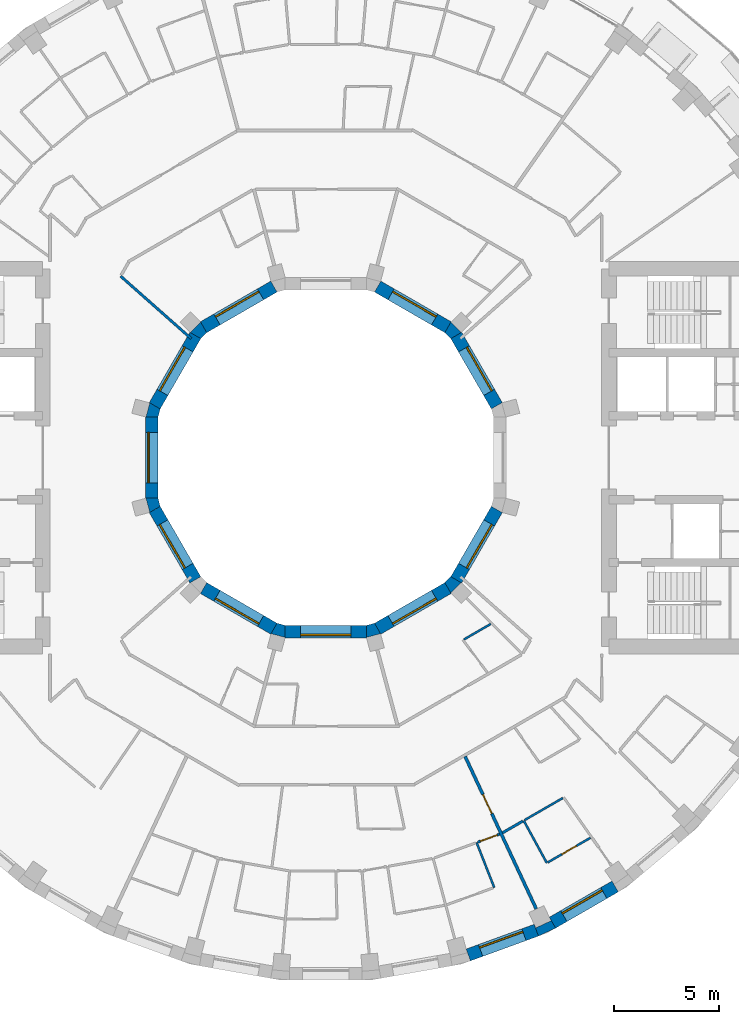
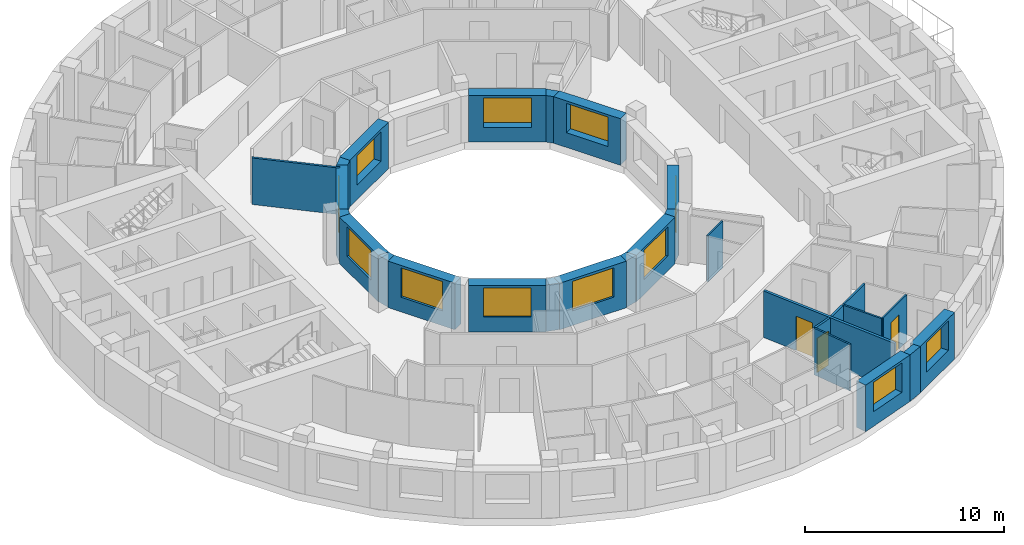
# One storey, part 7 of 15: 29 walls, 12 windows, 3 doors, 15 openings.
"""IFC4 building model written with IfcOpenShell, lengths in metres."""

from ifc_helpers import new_model, si_unit, direction, frame, frame_2d, origin, place, context, subcontext, project, spatial, polyline, rectangle, outline, extrude, material, layer, layer_set, type_object, element, fill, save


model = new_model("IFC4")

# Units and contexts
model_context = context("Model", 3, precision=1e-05, world=origin(), true_north=direction((0.0, 1.0)))
body_context = subcontext(model_context, "Body", "Model", "MODEL_VIEW")
ifc_project = project(units=[si_unit("LENGTHUNIT", "METRE"), si_unit("AREAUNIT", "SQUARE_METRE"), si_unit("VOLUMEUNIT", "CUBIC_METRE"), si_unit("PLANEANGLEUNIT", "RADIAN"), si_unit("MASSUNIT", "GRAM", prefix="KILO")], contexts=[model_context])

# Site, building, storey
site_placement = place(None, origin())
site = spatial("IfcSite", under=ifc_project, at=site_placement, CompositionType="ELEMENT")
building_placement = place(site_placement, origin())
building = spatial("IfcBuilding", under=site, at=building_placement, Name="Saqina Gate Tower", CompositionType="ELEMENT")
storey_placement = place(building_placement, frame((0.0, 0.0, 197.10009765625)))
storey = spatial("IfcBuildingStorey", under=building, at=storey_placement, Name="L56", CompositionType="ELEMENT", Elevation=197.10009765625)

# Wall
ifc_material_1 = material(Name="Brick masonry (buff)", Category="masonry")
wall_type_1 = type_object("IfcWallType", Name="BRICK PIER COPING BUFF", PredefinedType="SOLIDWALL", material=ifc_material_1)
wall_1_placement = place(storey_placement, origin())
element("IfcWall", 1, at=wall_1_placement, inside=storey, type_object=wall_type_1, Name="Pier cap L56 column 30", PredefinedType="SOLIDWALL", context=body_context, shape_type="SweptSolid", body=[
    extrude(outline(polyline([(10.958740234375, -22.4306640625), (10.65869140625, -21.9111328125), (10.73779296875, -22.080810546875), (10.0126953125, -22.4189453125), (9.93359375, -22.249267578125), (10.138916015625, -22.81298828125), (10.958740234375, -22.4306640625)])), origin(), (0.0, 0.0, 1.0), 2.849853515625),
])

# Wall, opening, window
ifc_material_2 = material(Name="Brick masonry (buff)", Category="masonry")
ifc_layer_1 = layer(ifc_material_2, 0.60009765625)
ifc_layer_set_1 = layer_set([ifc_layer_1], Name="FW-BRICK-BUFF")
wall_type_2 = type_object("IfcWallType", Name="FW-BRICK-BUFF", PredefinedType="SOLIDWALL", material=ifc_layer_set_1)
wall_2_placement = place(storey_placement, frame((6.79443359375, -23.7109375, 0.0), z_axis=(0.0, 0.0, 1.0), x_axis=(0.93968799822, 0.342032843455, 0.0)))
wall_2 = element("IfcWall", 2, at=wall_2_placement, inside=storey, type_object=wall_type_2, Name="Facade wall L56 facet 29", PredefinedType="SOLIDWALL", context=body_context, shape_type="SweptSolid", body=[
    extrude(rectangle(XDim=3.44970703125, YDim=0.60009765625, at=frame_2d((1.724853515625, 0.0))), origin(), (0.0, 0.0, 1.0), 2.849853515625),
])
opening_1_placement = place(wall_2_placement, frame((0.625, 0.0, 0.89990234375)))
opening_1 = element("IfcOpeningElement", 3, at=opening_1_placement, cuts=wall_2, Name="Opening G16-W18", PredefinedType="OPENING", context=body_context, shape_type="SweptSolid", body=[
    extrude(rectangle(XDim=2.199951171875, YDim=1.800048828125, at=frame_2d((1.10009765625, 0.89990234375))), frame((0.0, 0.31201171875, 0.0), z_axis=(0.0, -1.0, 0.0), x_axis=(1.0, 0.0, 0.0)), (0.0, 0.0, 1.0), 0.6240234375),
])
ifc_material_3 = material(Name="Aluminium glazing", Category="aluminium")
window_type_1 = type_object("IfcWindowType", Name="WN-C", PartitioningType="SINGLE_PANEL", PredefinedType="WINDOW", material=ifc_material_3)
window_1_placement = place(opening_1_placement, origin())
window_1 = element("IfcWindow", 4, at=window_1_placement, inside=storey, type_object=window_type_1, Name="Window L56 facet 29", OverallHeight=1.800048828125, OverallWidth=2.199951171875, PartitioningType="SINGLE_PANEL", PredefinedType="WINDOW", context=body_context, shape_type="SweptSolid", body=[
    extrude(rectangle(XDim=2.199951171875, YDim=1.800048828125, at=frame_2d((1.10009765625, 0.89990234375))), frame((0.0, 0.179931640625, 0.0), z_axis=(0.0, -1.0, 0.0), x_axis=(1.0, 0.0, 0.0)), (0.0, 0.0, 1.0), 0.06005859375),
])
fill(opening_1, window_1)

wall_3_placement = place(storey_placement, frame((10.80859375, -22.1708984375, 0.0), z_axis=(0.0, 0.0, 1.0), x_axis=(0.86602648383, 0.499998129301, 0.0)))
wall_3 = element("IfcWall", 5, at=wall_3_placement, inside=storey, type_object=wall_type_2, Name="Facade wall L56 facet 30", PredefinedType="SOLIDWALL", context=body_context, shape_type="SweptSolid", body=[
    extrude(rectangle(XDim=3.44970703125, YDim=0.60009765625, at=frame_2d((1.724853515625, 0.0))), origin(), (0.0, 0.0, 1.0), 2.849853515625),
])
opening_2_placement = place(wall_3_placement, frame((0.625, 0.0, 0.89990234375)))
opening_2 = element("IfcOpeningElement", 6, at=opening_2_placement, cuts=wall_3, Name="Opening G16-W19", PredefinedType="OPENING", context=body_context, shape_type="SweptSolid", body=[
    extrude(rectangle(XDim=2.199951171875, YDim=1.800048828125, at=frame_2d((1.10009765625, 0.89990234375))), frame((0.0, 0.31201171875, 0.0), z_axis=(0.0, -1.0, 0.0), x_axis=(1.0, 0.0, 0.0)), (0.0, 0.0, 1.0), 0.6240234375),
])
window_2_placement = place(opening_2_placement, origin())
window_2 = element("IfcWindow", 7, at=window_2_placement, inside=storey, type_object=window_type_1, Name="Window L56 facet 30", OverallHeight=1.800048828125, OverallWidth=2.199951171875, PartitioningType="SINGLE_PANEL", PredefinedType="WINDOW", context=body_context, shape_type="SweptSolid", body=[
    extrude(rectangle(XDim=2.199951171875, YDim=1.800048828125, at=frame_2d((1.10009765625, 0.89990234375))), frame((0.0, 0.179931640625, 0.0), z_axis=(0.0, -1.0, 0.0), x_axis=(1.0, 0.0, 0.0)), (0.0, 0.0, 1.0), 0.06005859375),
])
fill(opening_2, window_2)

ifc_material_4 = material(Name="Glazed ceramic tile", Category="ceramic")
ifc_layer_2 = layer(ifc_material_4, 0.60009765625)
ifc_layer_set_2 = layer_set([ifc_layer_2], Name="IW-TILE")
wall_type_3 = type_object("IfcWallType", Name="IW-TILE", PredefinedType="SOLIDWALL", material=ifc_layer_set_2)
wall_4_placement = place(storey_placement, frame((8.155517578125, 2.474365234375, 0.0), z_axis=(0.0, 0.0, 1.0), x_axis=(-0.500033728941, 0.866005929495, 0.0)))
wall_4 = element("IfcWall", 8, at=wall_4_placement, inside=storey, type_object=wall_type_3, Name="Well wall L56 facet 1", PredefinedType="SOLIDWALL", context=body_context, shape_type="SweptSolid", body=[
    extrude(rectangle(XDim=3.869873046875, YDim=0.60009765625, at=frame_2d((1.93505859375, 0.0))), origin(), (0.0, 0.0, 1.0), 2.849853515625),
])
opening_3_placement = place(wall_4_placement, frame((0.73486328125, 0.0, 0.89990234375)))
opening_3 = element("IfcOpeningElement", 9, at=opening_3_placement, cuts=wall_4, Name="Opening G16-W23", PredefinedType="OPENING", context=body_context, shape_type="SweptSolid", body=[
    extrude(rectangle(XDim=2.39990234375, YDim=1.800048828125, at=frame_2d((1.199951171875, 0.89990234375))), frame((0.0, 0.31201171875, 0.0), z_axis=(0.0, -1.0, 0.0), x_axis=(1.0, 0.0, 0.0)), (0.0, 0.0, 1.0), 0.6240234375),
])
ifc_material_5 = material(Name="Aluminium glazing", Category="aluminium")
window_type_2 = type_object("IfcWindowType", Name="WN-W", PartitioningType="SINGLE_PANEL", PredefinedType="WINDOW", material=ifc_material_5)
window_3_placement = place(opening_3_placement, origin())
window_3 = element("IfcWindow", 10, at=window_3_placement, inside=storey, type_object=window_type_2, Name="Well window L56 facet 1", OverallHeight=1.800048828125, OverallWidth=2.39990234375, PartitioningType="SINGLE_PANEL", PredefinedType="WINDOW", context=body_context, shape_type="SweptSolid", body=[
    extrude(rectangle(XDim=2.39990234375, YDim=1.800048828125, at=frame_2d((1.199951171875, 0.89990234375))), frame((0.0, -0.119873046875, 0.0), z_axis=(0.0, -1.0, 0.0), x_axis=(1.0, 0.0, 0.0)), (0.0, 0.0, 1.0), 0.06005859375),
])
fill(opening_3, window_3)

wall_5_placement = place(storey_placement, frame((5.82568359375, 6.220458984375, 0.0), z_axis=(0.0, 0.0, 1.0), x_axis=(-0.866005929495, 0.500033728941, 0.0)))
wall_5 = element("IfcWall", 11, at=wall_5_placement, inside=storey, type_object=wall_type_3, Name="Well wall L56 facet 2", PredefinedType="SOLIDWALL", context=body_context, shape_type="SweptSolid", body=[
    extrude(rectangle(XDim=3.869873046875, YDim=0.60009765625, at=frame_2d((1.93505859375, 0.0))), origin(), (0.0, 0.0, 1.0), 2.849853515625),
])
opening_4_placement = place(wall_5_placement, frame((0.73486328125, 0.0, 0.89990234375)))
opening_4 = element("IfcOpeningElement", 12, at=opening_4_placement, cuts=wall_5, Name="Opening G16-W24", PredefinedType="OPENING", context=body_context, shape_type="SweptSolid", body=[
    extrude(rectangle(XDim=2.39990234375, YDim=1.800048828125, at=frame_2d((1.199951171875, 0.89990234375))), frame((0.0, 0.31201171875, 0.0), z_axis=(0.0, -1.0, 0.0), x_axis=(1.0, 0.0, 0.0)), (0.0, 0.0, 1.0), 0.6240234375),
])
window_4_placement = place(opening_4_placement, origin())
window_4 = element("IfcWindow", 13, at=window_4_placement, inside=storey, type_object=window_type_2, Name="Well window L56 facet 2", OverallHeight=1.800048828125, OverallWidth=2.39990234375, PartitioningType="SINGLE_PANEL", PredefinedType="WINDOW", context=body_context, shape_type="SweptSolid", body=[
    extrude(rectangle(XDim=2.39990234375, YDim=1.800048828125, at=frame_2d((1.199951171875, 0.89990234375))), frame((0.0, -0.119873046875, 0.0), z_axis=(0.0, -1.0, 0.0), x_axis=(1.0, 0.0, 0.0)), (0.0, 0.0, 1.0), 0.06005859375),
])
fill(opening_4, window_4)

wall_6_placement = place(storey_placement, frame((-2.474365234375, 8.155517578125, 0.0), z_axis=(0.0, 0.0, 1.0), x_axis=(-0.866005929495, -0.500033728941, 0.0)))
wall_6 = element("IfcWall", 14, at=wall_6_placement, inside=storey, type_object=wall_type_3, Name="Well wall L56 facet 4", PredefinedType="SOLIDWALL", context=body_context, shape_type="SweptSolid", body=[
    extrude(rectangle(XDim=3.869873046875, YDim=0.60009765625, at=frame_2d((1.93505859375, 0.0))), origin(), (0.0, 0.0, 1.0), 2.849853515625),
])
opening_5_placement = place(wall_6_placement, frame((0.73486328125, 0.0, 0.89990234375)))
opening_5 = element("IfcOpeningElement", 15, at=opening_5_placement, cuts=wall_6, Name="Opening G16-W26", PredefinedType="OPENING", context=body_context, shape_type="SweptSolid", body=[
    extrude(rectangle(XDim=2.39990234375, YDim=1.800048828125, at=frame_2d((1.199951171875, 0.89990234375))), frame((0.0, 0.31201171875, 0.0), z_axis=(0.0, -1.0, 0.0), x_axis=(1.0, 0.0, 0.0)), (0.0, 0.0, 1.0), 0.6240234375),
])
window_5_placement = place(opening_5_placement, origin())
window_5 = element("IfcWindow", 16, at=window_5_placement, inside=storey, type_object=window_type_2, Name="Well window L56 facet 4", OverallHeight=1.800048828125, OverallWidth=2.39990234375, PartitioningType="SINGLE_PANEL", PredefinedType="WINDOW", context=body_context, shape_type="SweptSolid", body=[
    extrude(rectangle(XDim=2.39990234375, YDim=1.800048828125, at=frame_2d((1.199951171875, 0.89990234375))), frame((0.0, -0.119873046875, 0.0), z_axis=(0.0, -1.0, 0.0), x_axis=(1.0, 0.0, 0.0)), (0.0, 0.0, 1.0), 0.06005859375),
])
fill(opening_5, window_5)

wall_7_placement = place(storey_placement, frame((-6.220458984375, 5.82568359375, 0.0), z_axis=(0.0, 0.0, 1.0), x_axis=(-0.500033728941, -0.866005929495, 0.0)))
wall_7 = element("IfcWall", 17, at=wall_7_placement, inside=storey, type_object=wall_type_3, Name="Well wall L56 facet 5", PredefinedType="SOLIDWALL", context=body_context, shape_type="SweptSolid", body=[
    extrude(rectangle(XDim=3.869873046875, YDim=0.60009765625, at=frame_2d((1.93505859375, 0.0))), origin(), (0.0, 0.0, 1.0), 2.849853515625),
])
opening_6_placement = place(wall_7_placement, frame((0.73486328125, 0.0, 0.89990234375)))
opening_6 = element("IfcOpeningElement", 18, at=opening_6_placement, cuts=wall_7, Name="Opening G16-W27", PredefinedType="OPENING", context=body_context, shape_type="SweptSolid", body=[
    extrude(rectangle(XDim=2.39990234375, YDim=1.800048828125, at=frame_2d((1.199951171875, 0.89990234375))), frame((0.0, 0.31201171875, 0.0), z_axis=(0.0, -1.0, 0.0), x_axis=(1.0, 0.0, 0.0)), (0.0, 0.0, 1.0), 0.6240234375),
])
window_6_placement = place(opening_6_placement, origin())
window_6 = element("IfcWindow", 19, at=window_6_placement, inside=storey, type_object=window_type_2, Name="Well window L56 facet 5", OverallHeight=1.800048828125, OverallWidth=2.39990234375, PartitioningType="SINGLE_PANEL", PredefinedType="WINDOW", context=body_context, shape_type="SweptSolid", body=[
    extrude(rectangle(XDim=2.39990234375, YDim=1.800048828125, at=frame_2d((1.199951171875, 0.89990234375))), frame((0.0, -0.119873046875, 0.0), z_axis=(0.0, -1.0, 0.0), x_axis=(1.0, 0.0, 0.0)), (0.0, 0.0, 1.0), 0.06005859375),
])
fill(opening_6, window_6)

wall_8_placement = place(storey_placement, frame((-8.300048828125, 1.934814453125, 0.0), z_axis=(0.0, 0.0, 1.0), x_axis=(0.0, -1.0, 0.0)))
wall_8 = element("IfcWall", 20, at=wall_8_placement, inside=storey, type_object=wall_type_3, Name="Well wall L56 facet 6", PredefinedType="SOLIDWALL", context=body_context, shape_type="SweptSolid", body=[
    extrude(rectangle(XDim=3.86962890625, YDim=0.60009765625, at=frame_2d((1.934814453125, 0.0))), origin(), (0.0, 0.0, 1.0), 2.849853515625),
])
opening_7_placement = place(wall_8_placement, frame((0.73486328125, 0.0, 0.89990234375)))
opening_7 = element("IfcOpeningElement", 21, at=opening_7_placement, cuts=wall_8, Name="Opening G16-W28", PredefinedType="OPENING", context=body_context, shape_type="SweptSolid", body=[
    extrude(rectangle(XDim=2.39990234375, YDim=1.800048828125, at=frame_2d((1.199951171875, 0.89990234375))), frame((0.0, 0.31201171875, 0.0), z_axis=(0.0, -1.0, 0.0), x_axis=(1.0, 0.0, 0.0)), (0.0, 0.0, 1.0), 0.6240234375),
])
window_7_placement = place(opening_7_placement, origin())
window_7 = element("IfcWindow", 22, at=window_7_placement, inside=storey, type_object=window_type_2, Name="Well window L56 facet 6", OverallHeight=1.800048828125, OverallWidth=2.39990234375, PartitioningType="SINGLE_PANEL", PredefinedType="WINDOW", context=body_context, shape_type="SweptSolid", body=[
    extrude(rectangle(XDim=2.39990234375, YDim=1.800048828125, at=frame_2d((1.199951171875, 0.89990234375))), frame((0.0, -0.119873046875, 0.0), z_axis=(0.0, -1.0, 0.0), x_axis=(1.0, 0.0, 0.0)), (0.0, 0.0, 1.0), 0.06005859375),
])
fill(opening_7, window_7)

wall_9_placement = place(storey_placement, frame((-8.155517578125, -2.474365234375, 0.0), z_axis=(0.0, 0.0, 1.0), x_axis=(0.500033728941, -0.866005929495, 0.0)))
wall_9 = element("IfcWall", 23, at=wall_9_placement, inside=storey, type_object=wall_type_3, Name="Well wall L56 facet 7", PredefinedType="SOLIDWALL", context=body_context, shape_type="SweptSolid", body=[
    extrude(rectangle(XDim=3.869873046875, YDim=0.60009765625, at=frame_2d((1.93505859375, 0.0))), origin(), (0.0, 0.0, 1.0), 2.849853515625),
])
opening_8_placement = place(wall_9_placement, frame((0.73486328125, 0.0, 0.89990234375)))
opening_8 = element("IfcOpeningElement", 24, at=opening_8_placement, cuts=wall_9, Name="Opening G16-W29", PredefinedType="OPENING", context=body_context, shape_type="SweptSolid", body=[
    extrude(rectangle(XDim=2.39990234375, YDim=1.800048828125, at=frame_2d((1.199951171875, 0.89990234375))), frame((0.0, 0.31201171875, 0.0), z_axis=(0.0, -1.0, 0.0), x_axis=(1.0, 0.0, 0.0)), (0.0, 0.0, 1.0), 0.6240234375),
])
window_8_placement = place(opening_8_placement, origin())
window_8 = element("IfcWindow", 25, at=window_8_placement, inside=storey, type_object=window_type_2, Name="Well window L56 facet 7", OverallHeight=1.800048828125, OverallWidth=2.39990234375, PartitioningType="SINGLE_PANEL", PredefinedType="WINDOW", context=body_context, shape_type="SweptSolid", body=[
    extrude(rectangle(XDim=2.39990234375, YDim=1.800048828125, at=frame_2d((1.199951171875, 0.89990234375))), frame((0.0, -0.119873046875, 0.0), z_axis=(0.0, -1.0, 0.0), x_axis=(1.0, 0.0, 0.0)), (0.0, 0.0, 1.0), 0.06005859375),
])
fill(opening_8, window_8)

wall_10_placement = place(storey_placement, frame((-5.82568359375, -6.220458984375, 0.0), z_axis=(0.0, 0.0, 1.0), x_axis=(0.866005929495, -0.500033728941, 0.0)))
wall_10 = element("IfcWall", 26, at=wall_10_placement, inside=storey, type_object=wall_type_3, Name="Well wall L56 facet 8", PredefinedType="SOLIDWALL", context=body_context, shape_type="SweptSolid", body=[
    extrude(rectangle(XDim=3.869873046875, YDim=0.60009765625, at=frame_2d((1.93505859375, 0.0))), origin(), (0.0, 0.0, 1.0), 2.849853515625),
])
opening_9_placement = place(wall_10_placement, frame((0.73486328125, 0.0, 0.89990234375)))
opening_9 = element("IfcOpeningElement", 27, at=opening_9_placement, cuts=wall_10, Name="Opening G16-W30", PredefinedType="OPENING", context=body_context, shape_type="SweptSolid", body=[
    extrude(rectangle(XDim=2.39990234375, YDim=1.800048828125, at=frame_2d((1.199951171875, 0.89990234375))), frame((0.0, 0.31201171875, 0.0), z_axis=(0.0, -1.0, 0.0), x_axis=(1.0, 0.0, 0.0)), (0.0, 0.0, 1.0), 0.6240234375),
])
window_9_placement = place(opening_9_placement, origin())
window_9 = element("IfcWindow", 28, at=window_9_placement, inside=storey, type_object=window_type_2, Name="Well window L56 facet 8", OverallHeight=1.800048828125, OverallWidth=2.39990234375, PartitioningType="SINGLE_PANEL", PredefinedType="WINDOW", context=body_context, shape_type="SweptSolid", body=[
    extrude(rectangle(XDim=2.39990234375, YDim=1.800048828125, at=frame_2d((1.199951171875, 0.89990234375))), frame((0.0, -0.119873046875, 0.0), z_axis=(0.0, -1.0, 0.0), x_axis=(1.0, 0.0, 0.0)), (0.0, 0.0, 1.0), 0.06005859375),
])
fill(opening_9, window_9)

wall_11_placement = place(storey_placement, frame((-1.934814453125, -8.300048828125, 0.0), z_axis=(0.0, 0.0, 1.0), x_axis=(1.0, 0.0, 0.0)))
wall_11 = element("IfcWall", 29, at=wall_11_placement, inside=storey, type_object=wall_type_3, Name="Well wall L56 facet 9", PredefinedType="SOLIDWALL", context=body_context, shape_type="SweptSolid", body=[
    extrude(rectangle(XDim=3.86962890625, YDim=0.60009765625, at=frame_2d((1.934814453125, 0.0))), origin(), (0.0, 0.0, 1.0), 2.849853515625),
])
opening_10_placement = place(wall_11_placement, frame((0.73486328125, 0.0, 0.89990234375)))
opening_10 = element("IfcOpeningElement", 30, at=opening_10_placement, cuts=wall_11, Name="Opening G16-W31", PredefinedType="OPENING", context=body_context, shape_type="SweptSolid", body=[
    extrude(rectangle(XDim=2.39990234375, YDim=1.800048828125, at=frame_2d((1.199951171875, 0.89990234375))), frame((0.0, 0.31201171875, 0.0), z_axis=(0.0, -1.0, 0.0), x_axis=(1.0, 0.0, 0.0)), (0.0, 0.0, 1.0), 0.6240234375),
])
window_10_placement = place(opening_10_placement, origin())
window_10 = element("IfcWindow", 31, at=window_10_placement, inside=storey, type_object=window_type_2, Name="Well window L56 facet 9", OverallHeight=1.800048828125, OverallWidth=2.39990234375, PartitioningType="SINGLE_PANEL", PredefinedType="WINDOW", context=body_context, shape_type="SweptSolid", body=[
    extrude(rectangle(XDim=2.39990234375, YDim=1.800048828125, at=frame_2d((1.199951171875, 0.89990234375))), frame((0.0, -0.119873046875, 0.0), z_axis=(0.0, -1.0, 0.0), x_axis=(1.0, 0.0, 0.0)), (0.0, 0.0, 1.0), 0.06005859375),
])
fill(opening_10, window_10)

wall_12_placement = place(storey_placement, frame((2.474365234375, -8.155517578125, 0.0), z_axis=(0.0, 0.0, 1.0), x_axis=(0.866005929495, 0.500033728941, 0.0)))
wall_12 = element("IfcWall", 32, at=wall_12_placement, inside=storey, type_object=wall_type_3, Name="Well wall L56 facet 10", PredefinedType="SOLIDWALL", context=body_context, shape_type="SweptSolid", body=[
    extrude(rectangle(XDim=3.869873046875, YDim=0.60009765625, at=frame_2d((1.93505859375, 0.0))), origin(), (0.0, 0.0, 1.0), 2.849853515625),
])
opening_11_placement = place(wall_12_placement, frame((0.73486328125, 0.0, 0.89990234375)))
opening_11 = element("IfcOpeningElement", 33, at=opening_11_placement, cuts=wall_12, Name="Opening G16-W32", PredefinedType="OPENING", context=body_context, shape_type="SweptSolid", body=[
    extrude(rectangle(XDim=2.39990234375, YDim=1.800048828125, at=frame_2d((1.199951171875, 0.89990234375))), frame((0.0, 0.31201171875, 0.0), z_axis=(0.0, -1.0, 0.0), x_axis=(1.0, 0.0, 0.0)), (0.0, 0.0, 1.0), 0.6240234375),
])
window_11_placement = place(opening_11_placement, origin())
window_11 = element("IfcWindow", 34, at=window_11_placement, inside=storey, type_object=window_type_2, Name="Well window L56 facet 10", OverallHeight=1.800048828125, OverallWidth=2.39990234375, PartitioningType="SINGLE_PANEL", PredefinedType="WINDOW", context=body_context, shape_type="SweptSolid", body=[
    extrude(rectangle(XDim=2.39990234375, YDim=1.800048828125, at=frame_2d((1.199951171875, 0.89990234375))), frame((0.0, -0.119873046875, 0.0), z_axis=(0.0, -1.0, 0.0), x_axis=(1.0, 0.0, 0.0)), (0.0, 0.0, 1.0), 0.06005859375),
])
fill(opening_11, window_11)

wall_13_placement = place(storey_placement, frame((6.220458984375, -5.82568359375, 0.0), z_axis=(0.0, 0.0, 1.0), x_axis=(0.500033728941, 0.866005929495, 0.0)))
wall_13 = element("IfcWall", 35, at=wall_13_placement, inside=storey, type_object=wall_type_3, Name="Well wall L56 facet 11", PredefinedType="SOLIDWALL", context=body_context, shape_type="SweptSolid", body=[
    extrude(rectangle(XDim=3.869873046875, YDim=0.60009765625, at=frame_2d((1.93505859375, 0.0))), origin(), (0.0, 0.0, 1.0), 2.849853515625),
])
opening_12_placement = place(wall_13_placement, frame((0.73486328125, 0.0, 0.89990234375)))
opening_12 = element("IfcOpeningElement", 36, at=opening_12_placement, cuts=wall_13, Name="Opening G16-W33", PredefinedType="OPENING", context=body_context, shape_type="SweptSolid", body=[
    extrude(rectangle(XDim=2.39990234375, YDim=1.800048828125, at=frame_2d((1.199951171875, 0.89990234375))), frame((0.0, 0.31201171875, 0.0), z_axis=(0.0, -1.0, 0.0), x_axis=(1.0, 0.0, 0.0)), (0.0, 0.0, 1.0), 0.6240234375),
])
window_12_placement = place(opening_12_placement, origin())
window_12 = element("IfcWindow", 37, at=window_12_placement, inside=storey, type_object=window_type_2, Name="Well window L56 facet 11", OverallHeight=1.800048828125, OverallWidth=2.39990234375, PartitioningType="SINGLE_PANEL", PredefinedType="WINDOW", context=body_context, shape_type="SweptSolid", body=[
    extrude(rectangle(XDim=2.39990234375, YDim=1.800048828125, at=frame_2d((1.199951171875, 0.89990234375))), frame((0.0, -0.119873046875, 0.0), z_axis=(0.0, -1.0, 0.0), x_axis=(1.0, 0.0, 0.0)), (0.0, 0.0, 1.0), 0.06005859375),
])
fill(opening_12, window_12)

# Walls
ifc_material_6 = material(Name="Gypsum board on steel studs, 100 mm", Category="steel")
ifc_layer_3 = layer(ifc_material_6, 0.10009765625)
ifc_layer_set_3 = layer_set([ifc_layer_3], Name="PARTITION 100")
wall_type_4 = type_object("IfcWallType", Name="PARTITION 100", PredefinedType="PARTITIONING", material=ifc_layer_set_3)
wall_14_placement = place(storey_placement, frame((7.19091796875, -18.35205078125, 0.0), z_axis=(0.0, 0.0, 1.0), x_axis=(0.364775478286, -0.931095510912, 0.0)))
element("IfcWall", 38, at=wall_14_placement, inside=storey, type_object=wall_type_4, Name="PARTITION PW3-11", PredefinedType="PARTITIONING", context=body_context, shape_type="SweptSolid", body=[
    extrude(rectangle(XDim=2.30029296875, YDim=0.10009765625, at=frame_2d((1.150146484375, 0.0))), origin(), (0.0, 0.0, 1.0), 2.849853515625),
])
wall_15_placement = place(storey_placement, frame((9.43603515625, -17.304931640625, 0.0), z_axis=(0.0, 0.0, 1.0), x_axis=(0.478926465157, -0.877855022753, 0.0)))
element("IfcWall", 39, at=wall_15_placement, inside=storey, type_object=wall_type_4, Name="PARTITION PW3-15", PredefinedType="PARTITIONING", context=body_context, shape_type="SweptSolid", body=[
    extrude(rectangle(XDim=2.301025390625, YDim=0.10009765625, at=frame_2d((1.150390625, 0.0))), origin(), (0.0, 0.0, 1.0), 2.849853515625),
])

# Wall, opening, door
wall_16_placement = place(storey_placement, frame((10.581298828125, -19.300048828125, 0.0), z_axis=(0.0, 0.0, 1.0), x_axis=(0.866009076391, 0.500028278809, 0.0)))
wall_16 = element("IfcWall", 40, at=wall_16_placement, inside=storey, type_object=wall_type_4, Name="PARTITION PW3-67", PredefinedType="PARTITIONING", context=body_context, shape_type="SweptSolid", body=[
    extrude(rectangle(XDim=2.349365234375, YDim=0.10009765625, at=frame_2d((1.1748046875, 0.0))), origin(), (0.0, 0.0, 1.0), 2.849853515625),
])
opening_13_placement = place(wall_16_placement, frame((0.781005859375, 0.0, 0.0)))
opening_13 = element("IfcOpeningElement", 41, at=opening_13_placement, cuts=wall_16, Name="Opening G16-D55", PredefinedType="OPENING", context=body_context, shape_type="SweptSolid", body=[
    extrude(rectangle(XDim=0.800048828125, YDim=2.10009765625, at=frame_2d((0.39990234375, 1.050048828125))), frame((0.0, 0.06201171875, 0.0), z_axis=(0.0, -1.0, 0.0), x_axis=(1.0, 0.0, 0.0)), (0.0, 0.0, 1.0), 0.1240234375),
])
ifc_material_7 = material(Name="Timber door leaf, 800 mm", Category="wood")
door_type_1 = type_object("IfcDoorType", Name="DOOR 800 TIMBER", OperationType="SINGLE_SWING_LEFT", PredefinedType="DOOR", material=ifc_material_7)
door_1_placement = place(opening_13_placement, frame((0.800048828125, 0.0, 0.0), z_axis=(0.0, 0.0, 1.0), x_axis=(-1.0, 0.0, 0.0)))
door_1 = element("IfcDoor", 42, at=door_1_placement, inside=storey, type_object=door_type_1, Name="DOOR G16-D55", OperationType="SINGLE_SWING_LEFT", OverallHeight=2.10009765625, OverallWidth=0.800048828125, PredefinedType="DOOR", context=body_context, shape_type="SweptSolid", body=[
    extrude(rectangle(XDim=0.800048828125, YDim=2.10009765625, at=frame_2d((0.39990234375, 1.050048828125))), frame((0.0, 0.02490234375, 0.0), z_axis=(0.0, -1.0, 0.0), x_axis=(1.0, 0.0, 0.0)), (0.0, 0.0, 1.0), 0.050048828125),
])
fill(opening_13, door_1)

# Walls
wall_17_placement = place(storey_placement, frame((9.479248046875, -17.280029296875, 0.0), z_axis=(0.0, 0.0, 1.0), x_axis=(0.86606956535, 0.499923502123, 0.0)))
element("IfcWall", 43, at=wall_17_placement, inside=storey, type_object=wall_type_4, Name="PARTITION PW3-68", PredefinedType="PARTITIONING", context=body_context, shape_type="SweptSolid", body=[
    extrude(rectangle(XDim=2.102294921875, YDim=0.10009765625, at=frame_2d((1.05126953125, 0.0))), origin(), (0.0, 0.0, 1.0), 2.849853515625),
])
wall_18_placement = place(storey_placement, frame((6.582275390625, -8.6708984375, 0.0), z_axis=(0.0, 0.0, 1.0), x_axis=(0.86582534463, 0.500346352636, 0.0)))
element("IfcWall", 44, at=wall_18_placement, inside=storey, type_object=wall_type_4, Name="PARTITION PW3-70", PredefinedType="PARTITIONING", context=body_context, shape_type="SweptSolid", body=[
    extrude(rectangle(XDim=1.47900390625, YDim=0.10009765625, at=frame_2d((0.739501953125, 0.0))), origin(), (0.0, 0.0, 1.0), 2.849853515625),
])
ifc_material_8 = material(Name="Gypsum board on steel studs, 125 mm, fire rated", Category="steel")
ifc_layer_4 = layer(ifc_material_8, 0.125)
ifc_layer_set_4 = layer_set([ifc_layer_4], Name="PARTITION EI 30 125")
wall_type_5 = type_object("IfcWallType", Name="PARTITION EI 30 125", PredefinedType="PARTITIONING", material=ifc_layer_set_4)
wall_19_placement = place(storey_placement, frame((-9.783935546875, 8.654052734375, 0.0), z_axis=(0.0, 0.0, 1.0), x_axis=(0.74898514635, -0.662586787181, 0.0)))
element("IfcWall", 45, at=wall_19_placement, inside=storey, type_object=wall_type_5, Name="PARTITION PW1-09", PredefinedType="PARTITIONING", context=body_context, shape_type="SweptSolid", body=[
    extrude(rectangle(XDim=4.490234375, YDim=0.125, at=frame_2d((2.2451171875, 0.0))), origin(), (0.0, 0.0, 1.0), 2.849853515625),
])

# Wall, opening, door
wall_20_placement = place(storey_placement, frame((7.238037109375, -18.3349609375, 0.0), z_axis=(0.0, 0.0, 1.0), x_axis=(0.939704125186, 0.341988533591, 0.0)))
wall_20 = element("IfcWall", 46, at=wall_20_placement, inside=storey, type_object=wall_type_5, Name="PARTITION PW1-30", PredefinedType="PARTITIONING", context=body_context, shape_type="SweptSolid", body=[
    extrude(rectangle(XDim=1.117919921875, YDim=0.125, at=frame_2d((0.55908203125, 0.0))), origin(), (0.0, 0.0, 1.0), 2.849853515625),
])
opening_14_placement = place(wall_20_placement, frame((0.146484375, 0.0, 0.0)))
opening_14 = element("IfcOpeningElement", 47, at=opening_14_placement, cuts=wall_20, Name="Opening G16-D52", PredefinedType="OPENING", context=body_context, shape_type="SweptSolid", body=[
    extrude(rectangle(XDim=0.85009765625, YDim=2.10009765625, at=frame_2d((0.425048828125, 1.050048828125))), frame((0.0, 0.074462890625, 0.0), z_axis=(0.0, -1.0, 0.0), x_axis=(1.0, 0.0, 0.0)), (0.0, 0.0, 1.0), 0.14892578125),
])
ifc_material_9 = material(Name="Fire door leaf EI 30, 850 mm")
door_type_2 = type_object("IfcDoorType", Name="DOOR 850 EI 30", OperationType="SINGLE_SWING_LEFT", PredefinedType="DOOR", material=ifc_material_9)
door_2_placement = place(opening_14_placement, origin())
door_2 = element("IfcDoor", 48, at=door_2_placement, inside=storey, type_object=door_type_2, Name="DOOR G16-D52", OperationType="SINGLE_SWING_RIGHT", OverallHeight=2.10009765625, OverallWidth=0.85009765625, PredefinedType="DOOR", context=body_context, shape_type="SweptSolid", body=[
    extrude(rectangle(XDim=0.85009765625, YDim=2.10009765625, at=frame_2d((0.425048828125, 1.050048828125))), frame((0.0, 0.02490234375, 0.0), z_axis=(0.0, -1.0, 0.0), x_axis=(1.0, 0.0, 0.0)), (0.0, 0.0, 1.0), 0.050048828125),
])
fill(opening_14, door_2)

# Wall
wall_21_placement = place(storey_placement, frame((8.423828125, -17.889404296875, 0.0), z_axis=(0.0, 0.0, 1.0), x_axis=(0.86607294768, 0.499917642513, 0.0)))
element("IfcWall", 49, at=wall_21_placement, inside=storey, type_object=wall_type_5, Name="PARTITION PW1-32", PredefinedType="PARTITIONING", context=body_context, shape_type="SweptSolid", body=[
    extrude(rectangle(XDim=1.118896484375, YDim=0.125, at=frame_2d((0.5595703125, 0.0))), origin(), (0.0, 0.0, 1.0), 2.849853515625),
])

# Wall, opening, door
ifc_material_10 = material(Name="Gypsum board on steel studs, 150 mm, fire rated", Category="steel")
ifc_layer_5 = layer(ifc_material_10, 0.14990234375)
ifc_layer_set_5 = layer_set([ifc_layer_5], Name="PARTITION EI 60 150")
wall_type_6 = type_object("IfcWallType", Name="PARTITION EI 60 150", PredefinedType="PARTITIONING", material=ifc_layer_set_5)
wall_22_placement = place(storey_placement, frame((6.64453125, -14.2490234375, 0.0), z_axis=(0.0, 0.0, 1.0), x_axis=(0.422700425591, -0.90626946887, 0.0)))
wall_22 = element("IfcWall", 50, at=wall_22_placement, inside=storey, type_object=wall_type_6, Name="PARTITION PW2-04", PredefinedType="PARTITIONING", context=body_context, shape_type="SweptSolid", body=[
    extrude(rectangle(XDim=8.017822265625, YDim=0.14990234375, at=frame_2d((4.0087890625, 0.0))), origin(), (0.0, 0.0, 1.0), 2.849853515625),
])
opening_15_placement = place(wall_22_placement, frame((2.00244140625, 0.0, 0.0)))
opening_15 = element("IfcOpeningElement", 51, at=opening_15_placement, cuts=wall_22, Name="Opening G16-D53", PredefinedType="OPENING", context=body_context, shape_type="SweptSolid", body=[
    extrude(rectangle(XDim=1.0, YDim=2.10009765625, at=frame_2d((0.5, 1.050048828125))), frame((0.0, 0.0869140625, 0.0), z_axis=(0.0, -1.0, 0.0), x_axis=(1.0, 0.0, 0.0)), (0.0, 0.0, 1.0), 0.173828125),
])
ifc_material_11 = material(Name="Fire door leaf EI 30, 1000 mm")
door_type_3 = type_object("IfcDoorType", Name="DOOR 1000 EI 30", OperationType="SINGLE_SWING_LEFT", PredefinedType="DOOR", material=ifc_material_11)
door_3_placement = place(opening_15_placement, origin())
door_3 = element("IfcDoor", 52, at=door_3_placement, inside=storey, type_object=door_type_3, Name="DOOR G16-D53", OperationType="SINGLE_SWING_LEFT", OverallHeight=2.10009765625, OverallWidth=1.0, PredefinedType="DOOR", context=body_context, shape_type="SweptSolid", body=[
    extrude(rectangle(XDim=1.0, YDim=2.10009765625, at=frame_2d((0.5, 1.050048828125))), frame((0.0, 0.02490234375, 0.0), z_axis=(0.0, -1.0, 0.0), x_axis=(1.0, 0.0, 0.0)), (0.0, 0.0, 1.0), 0.050048828125),
])
fill(opening_15, door_3)

# Walls
ifc_material_12 = material(Name="Glazed ceramic tile", Category="ceramic")
wall_type_7 = type_object("IfcWallType", Name="TILE PIER COPING", PredefinedType="SOLIDWALL", material=ifc_material_12)
wall_23_placement = place(storey_placement, origin())
element("IfcWall", 53, at=wall_23_placement, inside=storey, type_object=wall_type_7, Name="Well pier cap L56 column 2", PredefinedType="SOLIDWALL", context=body_context, shape_type="SweptSolid", body=[
    extrude(outline(polyline([(5.96240234375, 6.45751953125), (5.67578125, 5.960693359375), (5.960693359375, 5.67578125), (6.45751953125, 5.96240234375), (5.96240234375, 6.45751953125)])), origin(), (0.0, 0.0, 1.0), 2.849853515625),
])
wall_24_placement = place(storey_placement, origin())
element("IfcWall", 54, at=wall_24_placement, inside=storey, type_object=wall_type_7, Name="Well pier cap L56 column 5", PredefinedType="SOLIDWALL", context=body_context, shape_type="SweptSolid", body=[
    extrude(outline(polyline([(-6.45751953125, 5.96240234375), (-5.960693359375, 5.67578125), (-5.67578125, 5.960693359375), (-5.96240234375, 6.45751953125), (-6.45751953125, 5.96240234375)])), origin(), (0.0, 0.0, 1.0), 2.849853515625),
])
wall_25_placement = place(storey_placement, origin())
element("IfcWall", 55, at=wall_25_placement, inside=storey, type_object=wall_type_7, Name="Well pier cap L56 column 6", PredefinedType="SOLIDWALL", context=body_context, shape_type="SweptSolid", body=[
    extrude(outline(polyline([(-8.573486328125, 1.934814453125), (-8.0, 1.934814453125), (-7.895751953125, 2.32421875), (-8.392333984375, 2.611083984375), (-8.573486328125, 1.934814453125)])), origin(), (0.0, 0.0, 1.0), 2.849853515625),
])
wall_26_placement = place(storey_placement, origin())
element("IfcWall", 56, at=wall_26_placement, inside=storey, type_object=wall_type_7, Name="Well pier cap L56 column 7", PredefinedType="SOLIDWALL", context=body_context, shape_type="SweptSolid", body=[
    extrude(outline(polyline([(-8.0, -1.934814453125), (-8.573486328125, -1.934814453125), (-8.392333984375, -2.611083984375), (-7.895751953125, -2.32421875), (-8.0, -1.934814453125)])), origin(), (0.0, 0.0, 1.0), 2.849853515625),
])
wall_27_placement = place(storey_placement, origin())
element("IfcWall", 57, at=wall_27_placement, inside=storey, type_object=wall_type_7, Name="Well pier cap L56 column 9", PredefinedType="SOLIDWALL", context=body_context, shape_type="SweptSolid", body=[
    extrude(outline(polyline([(-1.934814453125, -8.573486328125), (-1.934814453125, -8.0), (-2.32421875, -7.895751953125), (-2.611083984375, -8.392333984375), (-1.934814453125, -8.573486328125)])), origin(), (0.0, 0.0, 1.0), 2.849853515625),
])
wall_28_placement = place(storey_placement, origin())
element("IfcWall", 58, at=wall_28_placement, inside=storey, type_object=wall_type_7, Name="Well pier cap L56 column 10", PredefinedType="SOLIDWALL", context=body_context, shape_type="SweptSolid", body=[
    extrude(outline(polyline([(2.611083984375, -8.392333984375), (2.32421875, -7.895751953125), (1.934814453125, -8.0), (1.934814453125, -8.573486328125), (2.611083984375, -8.392333984375)])), origin(), (0.0, 0.0, 1.0), 2.849853515625),
])
wall_29_placement = place(storey_placement, origin())
element("IfcWall", 59, at=wall_29_placement, inside=storey, type_object=wall_type_7, Name="Well pier cap L56 column 11", PredefinedType="SOLIDWALL", context=body_context, shape_type="SweptSolid", body=[
    extrude(outline(polyline([(5.96240234375, -6.45751953125), (6.45751953125, -5.96240234375), (5.960693359375, -5.67578125), (5.67578125, -5.960693359375), (5.96240234375, -6.45751953125)])), origin(), (0.0, 0.0, 1.0), 2.849853515625),
])

save(model, "model.ifc")
